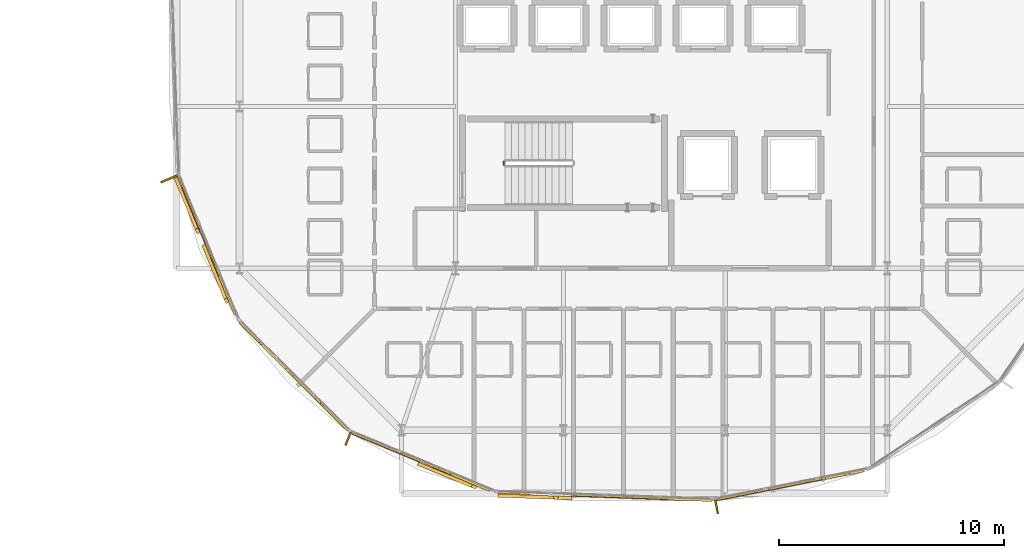
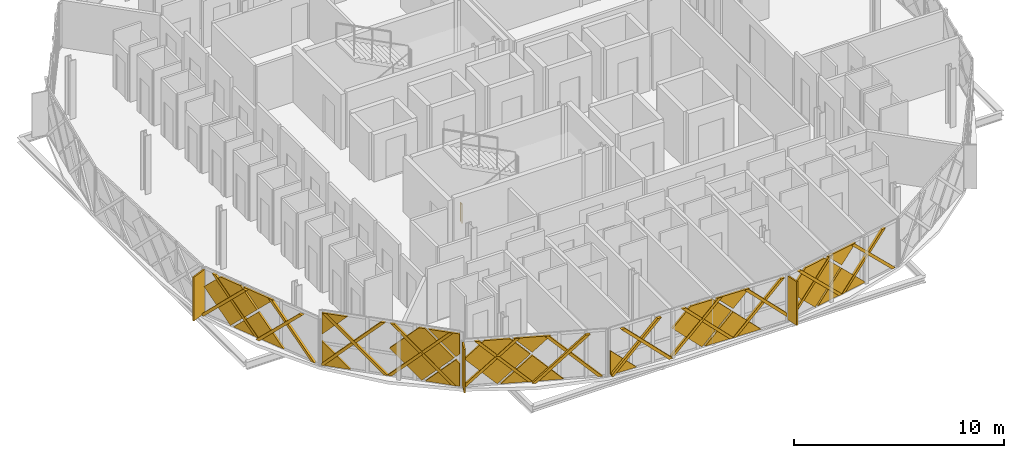
# One storey, part 36 of 40: 40 coverings, 3 shading devices, 1 railing.
"""IFC4 building model written with IfcOpenShell, lengths in metres."""

from ifc_helpers import new_model, si_unit, direction, frame, origin, origin_2d, place, context, subcontext, project, spatial, polyline, rectangle, circle, outline, extrude, material, layer, layer_set, type_object, element, save


model = new_model("IFC4")

# Units and contexts
model_context = context("Model", 3, precision=1e-05, world=origin(), true_north=direction((0.0, 1.0)))
body_context = subcontext(model_context, "Body", "Model", "MODEL_VIEW")
ifc_project = project(units=[si_unit("LENGTHUNIT", "METRE"), si_unit("AREAUNIT", "SQUARE_METRE"), si_unit("VOLUMEUNIT", "CUBIC_METRE"), si_unit("PLANEANGLEUNIT", "RADIAN"), si_unit("MASSUNIT", "GRAM", prefix="KILO")], contexts=[model_context])

# Site, building, storey
site_placement = place(None, origin())
site = spatial("IfcSite", under=ifc_project, at=site_placement, CompositionType="ELEMENT")
building_placement = place(site_placement, origin())
building = spatial("IfcBuilding", under=site, at=building_placement, Name="Zevrakil Square Congress Hotel", CompositionType="ELEMENT")
storey_placement = place(building_placement, frame((0.0, 0.0, 18.10009765625)))
storey = spatial("IfcBuildingStorey", under=building, at=storey_placement, Name="L05", CompositionType="ELEMENT", Elevation=18.10009765625)

# Coverings
ifc_material_1 = material(Name="Architectural White Fibre-C GRC", Category="concrete")
ifc_layer_1 = layer(ifc_material_1, 0.06494140625)
ifc_layer_set_1 = layer_set([ifc_layer_1], Name="Architectural White Fibre-C GRC")
covering_type_1 = type_object("IfcCoveringType", Name="COV-DIA-WHITE", PredefinedType="CLADDING", material=ifc_layer_set_1)
covering_1_placement = place(storey_placement, frame((151.611328125, 7.110595703125, 1.58984375), z_axis=(0.195074358725, -0.980788280172, 0.000586553491), x_axis=(0.693609627274, 0.137532945708, -0.707099974401)))
element("IfcCovering", 1, at=covering_1_placement, inside=storey, type_object=covering_type_1, Name="L05 45-degree white GRC diamond facade cassette 2330", PredefinedType="CLADDING", context=body_context, shape_type="SweptSolid", body=[
    extrude(outline(polyline([(0.0, 0.0), (2.135496846686384, 0.0), (6.252147105900718e-05, -2.1353939480228528), (0.0, 0.0)])), origin(), (0.0, 0.0, -1.0), 0.1201171875),
])
covering_2_placement = place(storey_placement, frame((151.52294921875, 7.09326171875, 1.679931640625), z_axis=(0.195082115782, -0.980786732105, 0.000595171481), x_axis=(-0.693439726572, -0.138356825029, -0.707105886398)))
element("IfcCovering", 2, at=covering_2_placement, inside=storey, type_object=covering_type_1, Name="L05 45-degree white GRC diamond facade cassette 2331", PredefinedType="CLADDING", context=body_context, shape_type="SweptSolid", body=[
    extrude(outline(polyline([(0.0, 0.0), (2.2487268368266253, 2.220446049250313e-16), (2.248633812753631, -2.23447299776198), (2.234477884363819, -2.248628956963805), (0.8556366017173227, -2.2484403758332823), (2.098631914593252e-05, -1.3928266487937626), (0.0, 0.0)])), origin(), (0.0, 0.0, -1.0), 0.1201171875),
])
covering_3_placement = place(storey_placement, frame((151.611328125, 7.11083984375, 1.77001953125), z_axis=(0.195040587633, -0.980795010959, 0.000561830918), x_axis=(-0.693699246875, -0.137543816191, 0.707009938765)))
element("IfcCovering", 3, at=covering_3_placement, inside=storey, type_object=covering_type_1, Name="L05 45-degree white GRC diamond facade cassette 2332", PredefinedType="CLADDING", context=body_context, shape_type="SweptSolid", body=[
    extrude(outline(polyline([(0.0, 0.0), (1.2655768208693572, 0.0), (-0.0003115925665918562, -1.2655421423245445), (0.0, 0.0)])), origin(), (0.0, 0.0, -1.0), 0.1201171875),
])
covering_4_placement = place(storey_placement, frame((125.69140625, 17.859619140625, 1.58984375), z_axis=(-0.923897419749, -0.382639699656, 0.000646551393), x_axis=(0.270148633985, -0.65347845614, -0.70709661498)))
element("IfcCovering", 4, at=covering_4_placement, inside=storey, type_object=covering_type_1, Name="L05 45-degree white GRC diamond facade cassette 2445", PredefinedType="CLADDING", context=body_context, shape_type="SweptSolid", body=[
    extrude(outline(polyline([(0.0, 0.0), (2.1355069924456442, 0.0), (0.00011507803593158172, -2.1353314064812903), (0.0, 0.0)])), origin(), (0.0, 0.0, -1.0), 0.1201171875),
])
covering_5_placement = place(storey_placement, frame((125.656982421875, 17.942626953125, 1.679931640625), z_axis=(-0.923883461343, -0.382673459065, 0.000611215862), x_axis=(-0.270976070506, 0.653084467726, -0.707144007419)))
element("IfcCovering", 5, at=covering_5_placement, inside=storey, type_object=covering_type_1, Name="L05 45-degree white GRC diamond facade cassette 2446", PredefinedType="CLADDING", context=body_context, shape_type="SweptSolid", body=[
    extrude(outline(polyline([(0.0, 0.0), (2.248605533611533, 0.0), (2.2485044613014646, -2.2345853296543123), (2.2343477697466976, -2.2487405253776847), (0.8555101264340127, -2.248481413681842), (-1.829334069392008e-05, -1.3928624649478556), (0.0, 0.0)])), origin(), (0.0, 0.0, -1.0), 0.1201171875),
])
covering_6_placement = place(storey_placement, frame((125.69140625, 17.859619140625, 1.77001953125), z_axis=(-0.923901908596, -0.382628798702, 0.000682419965), x_axis=(-0.270111294822, 0.653476396829, 0.707112782515)))
element("IfcCovering", 6, at=covering_6_placement, inside=storey, type_object=covering_type_1, Name="L05 45-degree white GRC diamond facade cassette 2447", PredefinedType="CLADDING", context=body_context, shape_type="SweptSolid", body=[
    extrude(outline(polyline([(0.0, 0.0), (1.2653927531079927, -2.220446049250313e-16), (-0.0001487062914607984, -1.2655635307595487), (0.0, 0.0)])), origin(), (0.0, 0.0, -1.0), 0.1201171875),
])
covering_7_placement = place(storey_placement, frame((128.174072265625, 13.392333984375, 0.079833984375), z_axis=(-0.707106648719, -0.707106648719, 0.000612107556), x_axis=(-0.707106781187, 0.707106781187, 0.0)))
element("IfcCovering", 7, at=covering_7_placement, inside=storey, type_object=covering_type_1, Name="L05 45-degree white GRC diamond facade cassette 2452", PredefinedType="CLADDING", context=body_context, shape_type="SweptSolid", body=[
    extrude(outline(polyline([(0.0, 0.0), (1.4100703585770802, 0.0), (1.4098977250855795, -1.4101565141756862), (0.0, 0.0)])), origin(), (0.0, 0.0, -1.0), 0.1201171875),
])
covering_8_placement = place(storey_placement, frame((131.85888671875, 9.708984375, 1.58984375), z_axis=(-0.707058176755, -0.707155041373, 0.000694366363), x_axis=(0.499732968723, -0.500358771483, -0.707041766638)))
element("IfcCovering", 8, at=covering_8_placement, inside=storey, type_object=covering_type_1, Name="L05 45-degree white GRC diamond facade cassette 2453", PredefinedType="CLADDING", context=body_context, shape_type="SweptSolid", body=[
    extrude(outline(polyline([(0.0, 0.0), (0.26242709128598163, 2.7755575615628914e-17), (1.1987559737688323, -0.9367448660860018), (-0.00020647188094313762, -2.13548749958328), (0.0, 0.0)])), origin(), (0.0, 0.0, -1.0), 0.1201171875),
])
covering_9_placement = place(storey_placement, frame((131.795166015625, 9.772705078125, 1.679931640625), z_axis=(-0.707106643755, -0.707106643755, 0.000623469749), x_axis=(-0.500290714707, 0.499667218731, -0.70713638805)))
element("IfcCovering", 9, at=covering_9_placement, inside=storey, type_object=covering_type_1, Name="L05 45-degree white GRC diamond facade cassette 2454", PredefinedType="CLADDING", context=body_context, shape_type="SweptSolid", body=[
    extrude(outline(polyline([(0.0, 0.0), (2.248629748373003, 2.220446049250313e-16), (2.248440568106163, -2.248629740415007), (0.19790152786242454, -2.2485454157029237), (-8.818991543635413e-05, -2.050539040081146), (0.0, 0.0)])), origin(), (0.0, 0.0, -1.0), 0.1201171875),
])
covering_10_placement = place(storey_placement, frame((127.177734375, 14.39013671875, 1.869873046875), z_axis=(-0.707106615267, -0.707106615267, 0.000685048067), x_axis=(0.000581282555, 0.000387521704, 0.999999755969)))
element("IfcCovering", 10, at=covering_10_placement, inside=storey, type_object=covering_type_1, Name="L05 45-degree white GRC diamond facade cassette 2455", PredefinedType="CLADDING", context=body_context, shape_type="SweptSolid", body=[
    extrude(outline(polyline([(0.0, 0.0), (1.260010073106858, -2.710505431213761e-20), (1.2601826886703582, -1.2598792091465434), (0.0, 0.0)])), origin(), (0.0, 0.0, -1.0), 0.1201171875),
])
covering_11_placement = place(storey_placement, frame((131.85888671875, 9.708984375, 1.77001953125), z_axis=(-0.707217299194, -0.706996047899, 0.000529127224), x_axis=(-0.499715263507, 0.500400795742, 0.707024539206)))
element("IfcCovering", 11, at=covering_11_placement, inside=storey, type_object=covering_type_1, Name="L05 45-degree white GRC diamond facade cassette 2456", PredefinedType="CLADDING", context=body_context, shape_type="SweptSolid", body=[
    extrude(outline(polyline([(0.0, 0.0), (1.9233607452678863, 0.0), (0.8303383131407941, -1.0927685802026637), (6.746239745036853e-05, -0.262304969653496), (0.0, 0.0)])), origin(), (0.0, 0.0, -1.0), 0.1201171875),
])
covering_12_placement = place(storey_placement, frame((135.1953125, 8.20068359375, 1.58984375), z_axis=(-0.382708734957, -0.923868910665, 0.000509994417), x_axis=(0.653140417013, -0.27095095192, -0.707101956805)))
element("IfcCovering", 12, at=covering_12_placement, inside=storey, type_object=covering_type_1, Name="L05 45-degree white GRC diamond facade cassette 2461", PredefinedType="CLADDING", context=body_context, shape_type="SweptSolid", body=[
    extrude(outline(polyline([(0.0, 0.0), (2.13549085968891, 0.0), (4.8845036205058534e-05, -2.135413431366355), (0.0, 0.0)])), origin(), (0.0, 0.0, -1.0), 0.1201171875),
])
covering_13_placement = place(storey_placement, frame((135.1123046875, 8.2353515625, 1.679931640625), z_axis=(-0.382683304291, -0.923879448195, 0.000503804633), x_axis=(-0.653388006823, 0.270256495074, -0.707138981679)))
element("IfcCovering", 13, at=covering_13_placement, inside=storey, type_object=covering_type_1, Name="L05 45-degree white GRC diamond facade cassette 2462", PredefinedType="CLADDING", context=body_context, shape_type="SweptSolid", body=[
    extrude(outline(polyline([(0.0, 0.0), (2.248621491449247, 2.220446049250313e-16), (2.2485204472946463, -2.234569244351454), (2.2343638563528256, -2.248724542393165), (0.8554715821813362, -2.2484204741983627), (9.64332810755586e-05, -1.3929672413083867), (0.0, 0.0)])), origin(), (0.0, 0.0, -1.0), 0.1201171875),
])
covering_14_placement = place(storey_placement, frame((135.195556640625, 8.200927734375, 1.77001953125), z_axis=(-0.382697019911, -0.923873703805, 0.000608579653), x_axis=(-0.653195300316, 0.271039396617, 0.707017358434)))
element("IfcCovering", 14, at=covering_14_placement, inside=storey, type_object=covering_type_1, Name="L05 45-degree white GRC diamond facade cassette 2463", PredefinedType="CLADDING", context=body_context, shape_type="SweptSolid", body=[
    extrude(outline(polyline([(0.0, 0.0), (1.2655635394961946, 1.1102230246251565e-16), (-0.0003743294602681635, -1.2656182100357316), (0.0, 0.0)])), origin(), (0.0, 0.0, -1.0), 0.1201171875),
])
covering_15_placement = place(storey_placement, frame((140.10546875, 6.743896484375, 0.079833984375), z_axis=(-0.035666822928, -0.999363601658, 0.000519060042), x_axis=(-0.999363736284, 0.035666827733, 0.0)))
element("IfcCovering", 15, at=covering_15_placement, inside=storey, type_object=covering_type_1, Name="L05 45-degree white GRC diamond facade cassette 2468", PredefinedType="CLADDING", context=body_context, shape_type="SweptSolid", body=[
    extrude(outline(polyline([(0.0, 0.0), (1.4100768682480707, 3.3881317890172014e-21), (1.410102991412914, -1.410156439964533), (0.0, 0.0)])), origin(), (0.0, 0.0, -1.0), 0.1201171875),
])
covering_16_placement = place(storey_placement, frame((145.31201171875, 6.5595703125, 1.58984375), z_axis=(-0.035570414494, -0.999366963576, 0.000646316549), x_axis=(0.706646188808, -0.025608921905, -0.707103490985)))
element("IfcCovering", 16, at=covering_16_placement, inside=storey, type_object=covering_type_1, Name="L05 45-degree white GRC diamond facade cassette 2469", PredefinedType="CLADDING", context=body_context, shape_type="SweptSolid", body=[
    extrude(outline(polyline([(0.0, 0.0), (2.1354862263833065, 2.220446049250313e-16), (3.0144430604117645e-05, -2.135437101348227), (0.0, 0.0)])), origin(), (0.0, 0.0, -1.0), 0.1201171875),
])
covering_17_placement = place(storey_placement, frame((145.22216796875, 6.56298828125, 1.679931640625), z_axis=(-0.035500632494, -0.999369462916, 0.000617805453), x_axis=(-0.706674091597, 0.024666074221, -0.707109123862)))
element("IfcCovering", 17, at=covering_17_placement, inside=storey, type_object=covering_type_1, Name="L05 45-degree white GRC diamond facade cassette 2470", PredefinedType="CLADDING", context=body_context, shape_type="SweptSolid", body=[
    extrude(outline(polyline([(0.0, 0.0), (2.2487164513580407, 2.220446049250313e-16), (2.24857724038264, -2.2485929120061714), (0.8556960408301366, -2.248514263610765), (9.968565027995702e-05, -1.3929116878000811), (0.0, 0.0)])), origin(), (0.0, 0.0, -1.0), 0.1201171875),
])
covering_18_placement = place(storey_placement, frame((145.31201171875, 6.559814453125, 1.77001953125), z_axis=(-0.035599091465, -0.999366065761, 0.000413874119), x_axis=(-0.706684505221, 0.025466108296, 0.707070355346)))
element("IfcCovering", 18, at=covering_18_placement, inside=storey, type_object=covering_type_1, Name="L05 45-degree white GRC diamond facade cassette 2471", PredefinedType="CLADDING", context=body_context, shape_type="SweptSolid", body=[
    extrude(outline(polyline([(0.0, 0.0), (1.2654686819487004, 1.1102230246251565e-16), (-0.00028425360212436246, -1.2656227546106624), (0.0, 0.0)])), origin(), (0.0, 0.0, -1.0), 0.1201171875),
])
ifc_material_2 = material(Name="Anodised Champagne Aluminium", Category="aluminium")
ifc_layer_2 = layer(ifc_material_2, 0.0849609375)
ifc_layer_set_2 = layer_set([ifc_layer_2], Name="Anodised Champagne Aluminium")
covering_type_2 = type_object("IfcCoveringType", Name="COV-DIAGRID-45", PredefinedType="MOLDING", material=ifc_layer_set_2)
covering_19_placement = place(storey_placement, frame((148.50341796875, 6.46630859375, 0.079833984375), z_axis=(0.195097412527, -0.980783708222, 0.00056330403), x_axis=(-0.980783863799, -0.19509744363, -2.72016e-07)))
element("IfcCovering", 19, at=covering_19_placement, inside=storey, type_object=covering_type_2, Name="L05 45-degree aluminium diagrid rib 2333", PredefinedType="MOLDING", context=body_context, shape_type="SweptSolid", body=[
    extrude(outline(polyline([(0.0, 0.0), (0.08613597179809739, 0.0), (0.08613593746405337, -0.1262206830993578), (-2.3727854550194465, -2.5849607039590508), (-2.5848458358618345, -2.584960581562817), (0.0, 0.0)])), origin(), (0.0, 0.0, -1.0), 0.14501953125),
])
covering_20_placement = place(storey_placement, frame((151.798828125, 7.12158203125, 0.079833984375), z_axis=(0.195009706996, -0.980801033713, 0.000739218906), x_axis=(-0.980801301618, -0.19500976064, -5.00223e-07)))
element("IfcCovering", 20, at=covering_20_placement, inside=storey, type_object=covering_type_2, Name="L05 45-degree aluminium diagrid rib 2334", PredefinedType="MOLDING", context=body_context, shape_type="SweptSolid", body=[
    extrude(outline(polyline([(0.0, 0.0), (0.21210800007007796, 0.0), (-2.3728335147887996, -2.5849604568237896), (-2.5851333584968117, -2.584960244525245), (0.0, 0.0)])), origin(), (0.0, 0.0, -1.0), 0.14501953125),
])
covering_21_placement = place(storey_placement, frame((148.898193359375, 6.54638671875, 2.664794921875), z_axis=(0.194566090937, -0.980889405196, 0.000105037323), x_axis=(0.980889410606, 0.19456609201, 0.0)))
element("IfcCovering", 21, at=covering_21_placement, inside=storey, type_object=covering_type_2, Name="L05 45-degree aluminium diagrid rib 2335", PredefinedType="MOLDING", context=body_context, shape_type="SweptSolid", body=[
    extrude(outline(polyline([(0.0, 0.0), (0.21206041195957603, 0.0), (2.797052844090348, -2.5849609517597294), (2.584992432130772, -2.5849609517597294), (0.0, 0.0)])), origin(), (0.0, 0.0, -1.0), 0.14501953125),
])
covering_22_placement = place(storey_placement, frame((152.193603515625, 7.20166015625, 2.664794921875), z_axis=(0.195009733885, -0.980801168949, 0.000520267619), x_axis=(0.980801301654, 0.195009760457, 3.5206e-07)))
element("IfcCovering", 22, at=covering_22_placement, inside=storey, type_object=covering_type_2, Name="L05 45-degree aluminium diagrid rib 2336", PredefinedType="MOLDING", context=body_context, shape_type="SweptSolid", body=[
    extrude(outline(polyline([(0.0, 0.0), (0.21210800007006456, 0.0), (2.7973385883136364, -2.5849622721792915), (2.5850387446055842, -2.5849621227620387), (0.0, 0.0)])), origin(), (0.0, 0.0, -1.0), 0.14501953125),
])
covering_23_placement = place(storey_placement, frame((124.452880859375, 20.781982421875, 0.079833984375), z_axis=(0.923569008402, 0.38343219302, 0.000200189133), x_axis=(-0.38343220071, 0.923569026905, 3.7745e-08)))
element("IfcCovering", 23, at=covering_23_placement, inside=storey, type_object=covering_type_2, Name="L05 45-degree aluminium diagrid rib 2448", PredefinedType="MOLDING", context=body_context, shape_type="SweptSolid", body=[
    extrude(outline(polyline([(0.0, 0.0), (0.08591876973634076, 1.6940658945086007e-21), (0.08591877450050028, 0.12622070059580906), (-2.3730681815330397, 2.584961080826138), (-2.5850763071225, 2.584961087075635), (0.0, 0.0)])), origin(), (0.0, 0.0, -1.0), 0.14501953125),
])
covering_24_placement = place(storey_placement, frame((125.73876953125, 17.677734375, 0.079833984375), z_axis=(0.923637792693, 0.383266523323, 3.098044e-06), x_axis=(-0.383266523325, 0.923637792697, 6.84e-10)))
element("IfcCovering", 24, at=covering_24_placement, inside=storey, type_object=covering_type_2, Name="L05 45-degree aluminium diagrid rib 2449", PredefinedType="MOLDING", context=body_context, shape_type="SweptSolid", body=[
    extrude(outline(polyline([(0.0, 0.0), (0.2120081206079828, 0.0), (-2.3728428362277305, 2.5849609391346444), (-2.585076454343696, 2.5849609394246857), (0.0, 0.0)])), origin(), (0.0, 0.0, -1.0), 0.14501953125),
])
for number, where, z_axis, x_axis, name in (
    (25, (124.6083984375, 20.410400390625, 2.664794921875), (-0.923721770156, -0.383062701696, 0.00102854685), (0.383062904319, -0.923722258763, 0.0), "L05 45-degree aluminium diagrid rib 2450"),
    (26, (125.894287109375, 17.30615234375, 2.664794921875), (-0.923721770156, -0.383062701696, 0.00102854685), (0.383062904319, -0.923722258763, 0.0), "L05 45-degree aluminium diagrid rib 2451"),
):
    element("IfcCovering", number, at=place(storey_placement, frame(where, z_axis=z_axis, x_axis=x_axis)), inside=storey, type_object=covering_type_2, Name=name, PredefinedType="MOLDING", context=body_context, shape_type="SweptSolid", body=[
        extrude(outline(polyline([(0.0, 0.0), (0.21223362327273487, 0.0), (2.7973153646968414, -2.5849623048273167), (2.5850817414241063, -2.5849623048273167), (0.0, 0.0)])), origin(), (0.0, 0.0, -1.0), 0.14501953125),
    ])
covering_25_placement = place(storey_placement, frame((127.22021484375, 14.310791015625, 0.079833984375), z_axis=(-0.706974067423, -0.707239331434, 0.000442790796), x_axis=(-0.70723940074, 0.706974136755, 8.3054e-08)))
element("IfcCovering", 27, at=covering_25_placement, inside=storey, type_object=covering_type_2, Name="L05 45-degree aluminium diagrid rib 2457", PredefinedType="MOLDING", context=body_context, shape_type="SweptSolid", body=[
    extrude(outline(polyline([(0.0, 0.0), (0.08597147725496404, 3.3881317890172014e-21), (0.08597148773813147, -0.12622069075135064), (-2.837922019726009, -3.05004936996881), (-3.049915943559535, -3.05004936996881), (0.0, 0.0)])), origin(), (0.0, 0.0, -1.0), 0.14501953125),
])
covering_26_placement = place(storey_placement, frame((129.59619140625, 11.934814453125, 0.079833984375), z_axis=(-0.707106644137, -0.707106644137, 0.000622602504), x_axis=(-0.707106781187, 0.707106781187, 0.0)))
element("IfcCovering", 28, at=covering_26_placement, inside=storey, type_object=covering_type_2, Name="L05 45-degree aluminium diagrid rib 2458", PredefinedType="MOLDING", context=body_context, shape_type="SweptSolid", body=[
    extrude(outline(polyline([(0.0, 0.0), (0.21233919454576503, 0.0), (-2.837576699795723, -3.0500494192763), (-3.0499158943414884, -3.0500494192763), (0.0, 0.0)])), origin(), (0.0, 0.0, -1.0), 0.14501953125),
])
covering_27_placement = place(storey_placement, frame((127.177490234375, 14.35595703125, 3.1298828125), z_axis=(-0.706818575571, -0.70739416073, 0.001001296107), x_axis=(0.707394515633, -0.706818929608, 4.07196e-07)))
element("IfcCovering", 29, at=covering_27_placement, inside=storey, type_object=covering_type_2, Name="L05 45-degree aluminium diagrid rib 2459", PredefinedType="MOLDING", context=body_context, shape_type="SweptSolid", body=[
    extrude(outline(polyline([(0.0, 0.0), (0.21216661374355517, -1.3552527156068805e-20), (3.2620802406267715, -3.0500516854132305), (3.0500863306223844, -3.050051512696679), (0.0, 0.0)])), origin(), (0.0, 0.0, -1.0), 0.14501953125),
])
covering_28_placement = place(storey_placement, frame((129.553466796875, 11.980224609375, 3.1298828125), z_axis=(-0.707394268914, -0.706819151622, 0.000187639325), x_axis=(0.706819164075, -0.707394281357, 7.6307e-08)))
element("IfcCovering", 30, at=covering_28_placement, inside=storey, type_object=covering_type_2, Name="L05 45-degree aluminium diagrid rib 2460", PredefinedType="MOLDING", context=body_context, shape_type="SweptSolid", body=[
    extrude(outline(polyline([(0.0, 0.0), (0.21233917698744162, 3.3881317890172014e-21), (3.2622553586430776, -3.050049130752323), (3.0500887449281153, -3.0500490983594886), (0.0, 0.0)])), origin(), (0.0, 0.0, -1.0), 0.14501953125),
])
covering_29_placement = place(storey_placement, frame((132.253173828125, 9.3916015625, 0.079833984375), z_axis=(-0.382178626902, -0.924088462834, 9.9981371e-05), x_axis=(-0.924088467461, 0.382178628792, -2.16259e-07)))
element("IfcCovering", 31, at=covering_29_placement, inside=storey, type_object=covering_type_2, Name="L05 45-degree aluminium diagrid rib 2464", PredefinedType="MOLDING", context=body_context, shape_type="SweptSolid", body=[
    extrude(outline(polyline([(0.0, 0.0), (0.08605097086192612, 0.0), (0.08614424889487488, -0.1262207250708576), (-2.372943440385264, -2.584960427614898), (-2.585083661120179, -2.584960383985023), (0.0, 0.0)])), origin(), (0.0, 0.0, -1.0), 0.14501953125),
])
covering_30_placement = place(storey_placement, frame((135.357421875, 8.105712890625, 0.079833984375), z_axis=(0.382080713953, 0.924128955736, 3.4564495e-05), x_axis=(-0.924128956288, 0.382080714181, 0.0)))
element("IfcCovering", 32, at=covering_30_placement, inside=storey, type_object=covering_type_2, Name="L05 45-degree aluminium diagrid rib 2465", PredefinedType="MOLDING", context=body_context, shape_type="SweptSolid", body=[
    extrude(outline(polyline([(0.0, 0.0), (0.2121402219257289, 4.235164736271502e-22), (-2.372942885217738, 2.5849609390441315), (-2.585083107143467, 2.5849609390441315), (0.0, 0.0)])), origin(), (0.0, 0.0, -1.0), 0.14501953125),
])
covering_31_placement = place(storey_placement, frame((132.6259765625, 9.23876953125, 2.664794921875), z_axis=(-0.382080409747, -0.924128219959, 0.001262363928), x_axis=(0.924128956288, -0.382080714181, 0.0)))
element("IfcCovering", 33, at=covering_31_placement, inside=storey, type_object=covering_type_2, Name="L05 45-degree aluminium diagrid rib 2466", PredefinedType="MOLDING", context=body_context, shape_type="SweptSolid", body=[
    extrude(outline(polyline([(0.0, 0.0), (0.2121402219257289, 0.0), (2.79721461905668, -2.5849629971511114), (2.5850743971309513, -2.5849629971511114), (0.0, 0.0)])), origin(), (0.0, 0.0, -1.0), 0.14501953125),
])
covering_32_placement = place(storey_placement, frame((135.730224609375, 7.952880859375, 2.664794921875), z_axis=(-0.382775374076, -0.92384131638, 0.000484923539), x_axis=(0.923841424973, -0.382775419149, -1.5091e-07)))
element("IfcCovering", 34, at=covering_32_placement, inside=storey, type_object=covering_type_2, Name="L05 45-degree aluminium diagrid rib 2467", PredefinedType="MOLDING", context=body_context, shape_type="SweptSolid", body=[
    extrude(outline(polyline([(0.0, 0.0), (0.21223361299549875, -6.776263578034403e-21), (2.7969911247469397, -2.584960819332673), (2.585076510004401, -2.5849608833410858), (0.0, 0.0)])), origin(), (0.0, 0.0, -1.0), 0.14501953125),
])
covering_33_placement = place(storey_placement, frame((138.781494140625, 6.76611328125, 0.079833984375), z_axis=(0.03454133984, 0.999403191217, 0.000396518796), x_axis=(-0.999403269787, 0.034541342466, 2.24813e-07)))
element("IfcCovering", 35, at=covering_33_placement, inside=storey, type_object=covering_type_2, Name="L05 45-degree aluminium diagrid rib 2472", PredefinedType="MOLDING", context=body_context, shape_type="SweptSolid", body=[
    extrude(outline(polyline([(0.0, 0.0), (0.08623140877547388, 2.117582368135751e-22), (0.08623143715150126, 0.1262206932023354), (-2.3727894618066734, 2.5849616837023275), (-2.5848300571311222, 2.5849617313923634), (0.0, 0.0)])), origin(), (0.0, 0.0, -1.0), 0.14501953125),
])
covering_34_placement = place(storey_placement, frame((142.139404296875, 6.646484375, 0.079833984375), z_axis=(-0.03567099946, -0.999363323589, 0.000726128736), x_axis=(-0.999363587053, 0.035671008853, -1.4894e-08)))
element("IfcCovering", 36, at=covering_34_placement, inside=storey, type_object=covering_type_2, Name="L05 45-degree aluminium diagrid rib 2473", PredefinedType="MOLDING", context=body_context, shape_type="SweptSolid", body=[
    extrude(outline(polyline([(0.0, 0.0), (0.21229315391198408, 0.0), (-2.372781042661483, -2.584961583637796), (-2.5848302113227217, -2.584961577317762), (0.0, 0.0)])), origin(), (0.0, 0.0, -1.0), 0.14501953125),
])
covering_35_placement = place(storey_placement, frame((145.4970703125, 6.527099609375, 0.079833984375), z_axis=(-0.035691520518, -0.999362574513, 0.000748348844), x_axis=(-0.999362854348, 0.035691530512, 0.0)))
element("IfcCovering", 37, at=covering_35_placement, inside=storey, type_object=covering_type_2, Name="L05 45-degree aluminium diagrid rib 2474", PredefinedType="MOLDING", context=body_context, shape_type="SweptSolid", body=[
    extrude(outline(polyline([(0.0, 0.0), (0.21204916870594673, 0.0), (-2.3730249501894054, -2.5849616613229602), (-2.585074118895352, -2.5849616613229602), (0.0, 0.0)])), origin(), (0.0, 0.0, -1.0), 0.14501953125),
])
covering_36_placement = place(storey_placement, frame((139.18408203125, 6.753173828125, 2.664794921875), z_axis=(0.036245597594, 0.999342905086, 0.000121281615), x_axis=(0.999342912436, -0.036245597852, -6.7242e-08)))
element("IfcCovering", 38, at=covering_36_placement, inside=storey, type_object=covering_type_2, Name="L05 45-degree aluminium diagrid rib 2475", PredefinedType="MOLDING", context=body_context, shape_type="SweptSolid", body=[
    extrude(outline(polyline([(0.0, 0.0), (0.21204913611522982, 0.0), (2.797236996303628, 2.584960768420424), (2.584935030962253, 2.584960796954514), (0.0, 0.0)])), origin(), (0.0, 0.0, -1.0), 0.14501953125),
])
covering_37_placement = place(storey_placement, frame((142.5419921875, 6.6337890625, 2.664794921875), z_axis=(-0.035691526366, -0.999362738238, 0.000482044604), x_axis=(0.999362854348, -0.035691530512, 0.0)))
element("IfcCovering", 39, at=covering_37_placement, inside=storey, type_object=covering_type_2, Name="L05 45-degree aluminium diagrid rib 2476", PredefinedType="MOLDING", context=body_context, shape_type="SweptSolid", body=[
    extrude(outline(polyline([(0.0, 0.0), (0.21204916870594673, 0.0), (2.7969925813128014, -2.5849612378298623), (2.5849434126068545, -2.5849612378298623), (0.0, 0.0)])), origin(), (0.0, 0.0, -1.0), 0.14501953125),
])
covering_38_placement = place(storey_placement, frame((145.89990234375, 6.514404296875, 2.664794921875), z_axis=(-0.035942229781, -0.999353837863, 0.000250732424), x_axis=(0.999353869277, -0.035942230895, 6.2899e-08)))
element("IfcCovering", 40, at=covering_38_placement, inside=storey, type_object=covering_type_2, Name="L05 45-degree aluminium diagrid rib 2477", PredefinedType="MOLDING", context=body_context, shape_type="SweptSolid", body=[
    extrude(outline(polyline([(0.0, 0.0), (0.21204916203366936, 4.235164736271502e-22), (2.2949585131585657, -2.0827638816940715), (2.294958499814011, -2.294922078150223), (0.0, 0.0)])), origin(), (0.0, 0.0, -1.0), 0.14501953125),
])

# Railing
ifc_material_3 = material(Name="Steel S355", Category="steel")
railing_type = type_object("IfcRailingType", Name="RLG-STAIR-GUARD-1100", PredefinedType="BALUSTRADE", material=ifc_material_3)
railing_placement = place(storey_placement, frame((138.949951171875, 21.39990234375, 0.0)))
element("IfcRailing", 41, at=railing_placement, inside=storey, type_object=railing_type, Name="L05 ST01 stair guard 4", PredefinedType="BALUSTRADE", context=body_context, shape_type="SweptSolid", body=[
    extrude(circle(Radius=0.02392578125, at=origin_2d()), frame((0.0, 0.0, 1.076171875), z_axis=(0.0, 1.0, 0.0), x_axis=(-1.0, 0.0, 0.0)), (0.0, 0.0, 1.0), 0.150146484375),
    extrude(circle(Radius=0.02099609375, at=origin_2d()), origin(), (0.0, 0.0, 1.0), 1.052001953125),
    extrude(circle(Radius=0.02099609375, at=origin_2d()), frame((0.0, 0.150146484375, 0.0)), (0.0, 0.0, 1.0), 1.052001953125),
])

# Shading devices
ifc_material_4 = material(Name="Aluminium Anodised Bronze", Category="aluminium")
shading_device_type_1 = type_object("IfcShadingDeviceType", Name="SHD-FIN-65", PredefinedType="USERDEFINED", material=ifc_material_4)
for number, where, z_axis, x_axis, name in (
    (42, (148.404052734375, 6.216796875, 0.099853515625), (0.0, 0.0, 1.0), (0.195090322016, -0.980785280403, 0.0), "L05 aluminium solar shading fin 128"),
    (43, (132.031982421875, 9.239501953125, 0.099853515625), (0.0, 0.0, 1.0), (-0.382683432365, -0.923879532511, 0.0), "L05 aluminium solar shading fin 136"),
):
    element("IfcShadingDevice", number, at=place(storey_placement, frame(where, z_axis=z_axis, x_axis=x_axis)), inside=storey, type_object=shading_device_type_1, Name=name, ObjectType="SOLAR FIN", PredefinedType="USERDEFINED", context=body_context, shape_type="SweptSolid", body=[
        extrude(rectangle(XDim=0.64990234375, YDim=0.080078125, at=origin_2d()), origin(), (0.0, 0.0, 1.0), 2.544921875),
    ])
ifc_material_5 = material(Name="Aluminium Anodised Bronze", Category="aluminium")
shading_device_type_2 = type_object("IfcShadingDeviceType", Name="SHD-FIN-85", PredefinedType="USERDEFINED", material=ifc_material_5)
shading_device_placement = place(storey_placement, frame((124.0966796875, 20.79248046875, 0.099853515625), z_axis=(0.0, 0.0, 1.0), x_axis=(-0.923879532511, -0.382683432365, 0.0)))
element("IfcShadingDevice", 44, at=shading_device_placement, inside=storey, type_object=shading_device_type_2, Name="L05 aluminium solar shading fin 135", ObjectType="SOLAR FIN", PredefinedType="USERDEFINED", context=body_context, shape_type="SweptSolid", body=[
    extrude(rectangle(XDim=0.85009765625, YDim=0.080078125, at=origin_2d()), origin(), (0.0, 0.0, 1.0), 2.544921875),
])

save(model, "model.ifc")
